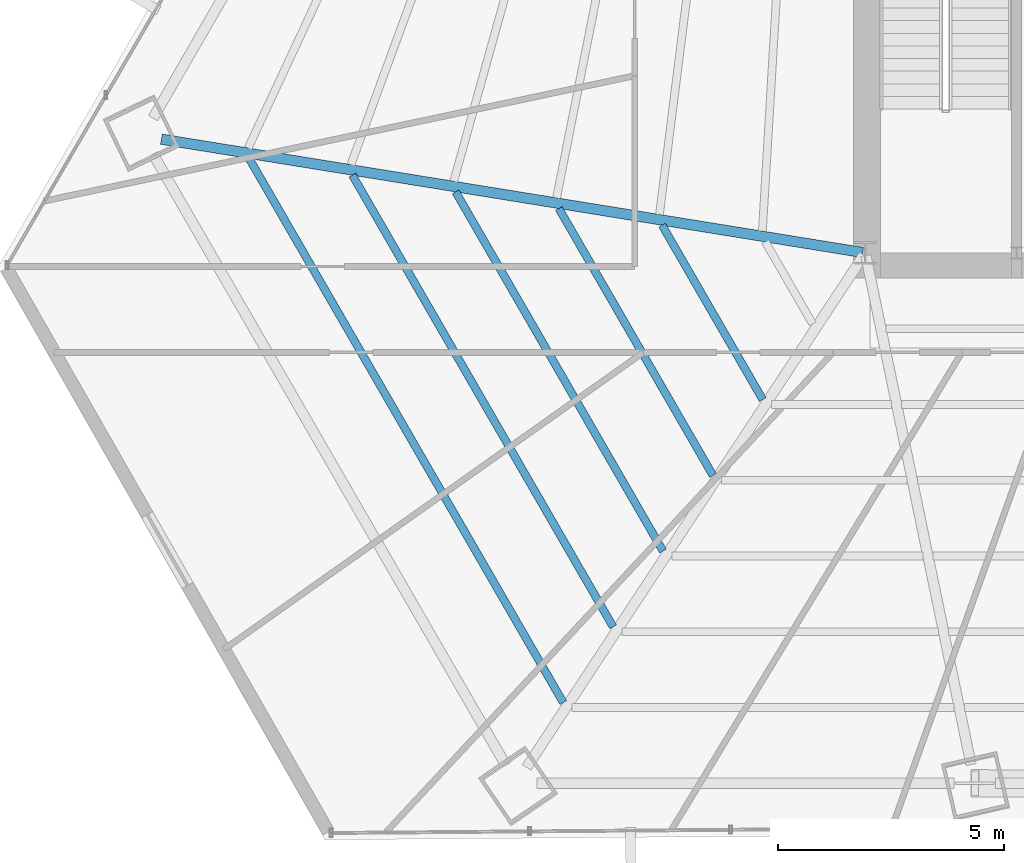
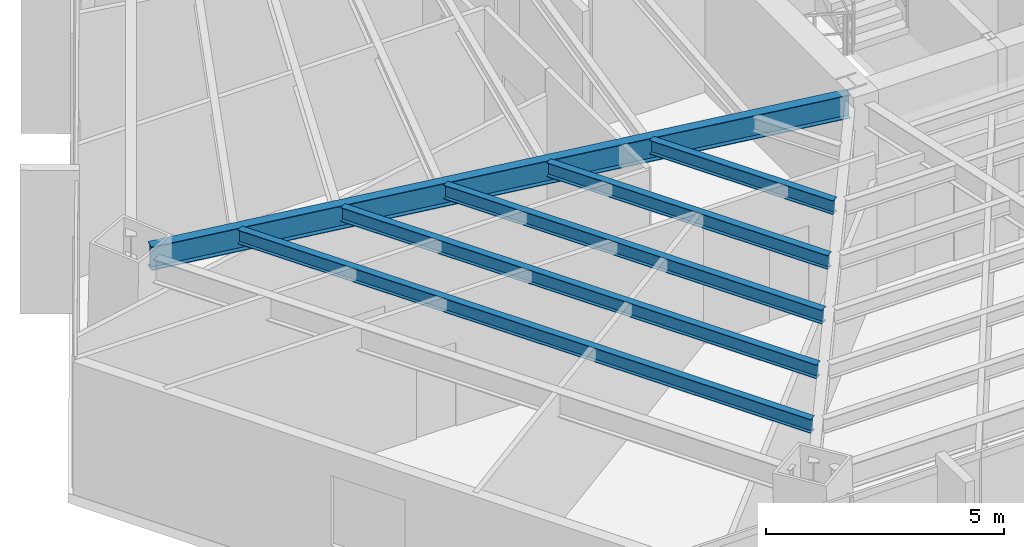
# One storey, part 7 of 38: 6 beams.
"""IFC4 building model written with IfcOpenShell, lengths in metres."""

import ifcopenshell
import ifcopenshell.guid

model = None  # the IFC model being written
_history = None  # IfcOwnerHistory: only IFC2X3 demands one
_inside = {}  # id of a spatial element -> (the spatial element, [elements in it])
_under = {}  # id of a project, library or spatial element -> (it, [spatial elements below it])
_declared = {}  # id of a project -> (the project, [libraries it declares])
_typed = {}  # id of a type object -> (the type object, [elements of that type])
_made_of = {}  # id of a material, layer set ... -> (it, [elements and type objects made of it])


def new_model(schema):
    """Start an empty IFC model of exactly this schema.

    Asked for "IFC4X3", IfcOpenShell would pick the latest addendum, in which some entities
    have other attributes; the version numbers below select the first issue.
    IFC2X3 requires an IfcOwnerHistory on every rooted entity: one is made here for all.
    """
    global model, _history
    if schema == "IFC4X3":
        model = ifcopenshell.file(schema_version=(4, 3, 0, 0))
    else:
        model = ifcopenshell.file(schema=schema)
    _inside.clear()
    _under.clear()
    _declared.clear()
    _typed.clear()
    _made_of.clear()
    _history = None
    if model.schema == "IFC2X3":
        org = make("IfcOrganization", Name="unknown")
        user = make(
            "IfcPersonAndOrganization",
            ThePerson=make("IfcPerson", FamilyName="unknown"),
            TheOrganization=org,
        )
        app = make(
            "IfcApplication",
            ApplicationDeveloper=org,
            Version="unknown",
            ApplicationFullName="unknown",
            ApplicationIdentifier="unknown",
        )
        _history = make(
            "IfcOwnerHistory",
            OwningUser=user,
            OwningApplication=app,
            ChangeAction="ADDED",
            CreationDate=0,
        )
    return model


def make(cls, **values):
    """One entity of the class cls with the attributes given. An attribute that is None is left unset."""
    return model.create_entity(
        cls, **{name: value for name, value in values.items() if value is not None}
    )


def rooted(cls, **values):
    """An entity with a GlobalId (a new one), such as an element, a storey or a relation."""
    return make(cls, GlobalId=ifcopenshell.guid.new(), OwnerHistory=_history, **values)


def si_unit(unit_type, name, prefix=None):
    """IfcSIUnit, for example si_unit("LENGTHUNIT", "METRE", prefix="MILLI")."""
    return make("IfcSIUnit", UnitType=unit_type, Prefix=prefix, Name=name)


def assignment(units):
    """IfcUnitAssignment: the units of a project."""
    return None if units is None else make("IfcUnitAssignment", Units=units)


def point(xyz):
    """IfcCartesianPoint."""
    return None if xyz is None else make("IfcCartesianPoint", Coordinates=xyz)


def direction(xyz):
    """IfcDirection."""
    return None if xyz is None else make("IfcDirection", DirectionRatios=xyz)


def frame(location, z_axis=None, x_axis=None):
    """IfcAxis2Placement3D, a coordinate frame: its origin and axes. An axis left out is left unset."""
    return make(
        "IfcAxis2Placement3D",
        Location=point(location),
        Axis=direction(z_axis),
        RefDirection=direction(x_axis),
    )


def frame_2d(location, x_axis=None):
    """IfcAxis2Placement2D, a coordinate frame in the plane: its origin and x axis."""
    return make(
        "IfcAxis2Placement2D", Location=point(location), RefDirection=direction(x_axis)
    )


def origin():
    """The frame at (0, 0, 0) with its axes left unset."""
    return frame((0.0, 0.0, 0.0))


def origin_2d():
    """The frame at (0, 0) in the plane with its x axis left unset."""
    return frame_2d((0.0, 0.0))


def place(relative_to, where):
    """IfcLocalPlacement: puts the frame where relative to a parent placement (None: the world)."""
    return make(
        "IfcLocalPlacement", PlacementRelTo=relative_to, RelativePlacement=where
    )


def context(
    kind, dimensions, precision=None, world=None, true_north=None, identifier=None
):
    """IfcGeometricRepresentationContext, for example the 3D "Model" context."""
    return make(
        "IfcGeometricRepresentationContext",
        ContextIdentifier=identifier,
        ContextType=kind,
        CoordinateSpaceDimension=dimensions,
        Precision=precision,
        WorldCoordinateSystem=world,
        TrueNorth=true_north,
    )


def subcontext(parent, identifier, kind, view, scale=None):
    """IfcGeometricRepresentationSubContext, for example "Body" below "Model"."""
    return make(
        "IfcGeometricRepresentationSubContext",
        ContextIdentifier=identifier,
        ContextType=kind,
        ParentContext=parent,
        TargetScale=scale,
        TargetView=view,
    )


def project(units=None, contexts=None):
    """IfcProject with its units and contexts."""
    return rooted(
        "IfcProject",
        Name="project",
        RepresentationContexts=contexts,
        UnitsInContext=assignment(units),
    )


def spatial(cls, under=None, at=None, **own):
    """A site, building, storey or space (cls), placed at a placement, below another one or the project."""
    s = rooted(cls, ObjectPlacement=at, **own)
    if under is not None:
        _under.setdefault(under.id(), (under, []))[1].append(s)
    return s


def profile(cls, at=None, kind="AREA", **sizes):
    """A parametric profile (cls). Its sizes go by their IFC names, for example OverallWidth=200.0."""
    return make(cls, ProfileType=kind, Position=at, **sizes)


def i_section(**sizes):
    """IfcIShapeProfileDef."""
    return profile("IfcIShapeProfileDef", **sizes)


def extrude(swept, where, along, depth):
    """IfcExtrudedAreaSolid: the profile swept, set in the frame where, extruded along a direction by depth."""
    return make(
        "IfcExtrudedAreaSolid",
        SweptArea=swept,
        Position=where,
        ExtrudedDirection=direction(along),
        Depth=depth,
    )


def shape(context_of_items, identifier, shape_type, items):
    """IfcShapeRepresentation: the items that make up one representation, for example the "Body"."""
    return make(
        "IfcShapeRepresentation",
        ContextOfItems=context_of_items,
        RepresentationIdentifier=identifier,
        RepresentationType=shape_type,
        Items=items,
    )


def source(mapping_origin, context_of_items, identifier, shape_type, items):
    """IfcRepresentationMap: a shape defined once, which mapped items show again and again."""
    return make(
        "IfcRepresentationMap",
        MappingOrigin=mapping_origin,
        MappedRepresentation=shape(context_of_items, identifier, shape_type, items),
    )


def transform(
    local_origin,
    x_axis=None,
    y_axis=None,
    z_axis=None,
    scale=None,
    scale2=None,
    scale3=None,
    uniform=True,
):
    """IfcCartesianTransformationOperator3D, or its non-uniform kind. x_axis, y_axis, z_axis: its Axis1, 2, 3."""
    if uniform:
        return make(
            "IfcCartesianTransformationOperator3D",
            Axis1=direction(x_axis),
            Axis2=direction(y_axis),
            LocalOrigin=point(local_origin),
            Scale=scale,
            Axis3=direction(z_axis),
        )
    return make(
        "IfcCartesianTransformationOperator3DnonUniform",
        Axis1=direction(x_axis),
        Axis2=direction(y_axis),
        LocalOrigin=point(local_origin),
        Scale=scale,
        Axis3=direction(z_axis),
        Scale2=scale2,
        Scale3=scale3,
    )


def mapped(mapping_source, mapping_target):
    """IfcMappedItem: shows the shape of a source again, moved by a transform."""
    return make(
        "IfcMappedItem", MappingSource=mapping_source, MappingTarget=mapping_target
    )


def material(Name=None, Category=None):
    """IfcMaterial."""
    return make("IfcMaterial", Name=Name, Category=Category)


def material_profile(
    of_material, cross_section, Name=None, Category=None, Priority=None
):
    """IfcMaterialProfile: a cross section and its material."""
    return make(
        "IfcMaterialProfile",
        Name=Name,
        Material=of_material,
        Profile=cross_section,
        Priority=Priority,
        Category=Category,
    )


def profile_set(profiles, Name=None, composite=None):
    """IfcMaterialProfileSet."""
    return make(
        "IfcMaterialProfileSet",
        Name=Name,
        MaterialProfiles=profiles,
        CompositeProfile=composite,
    )


def made_of(thing, what):
    """Note that an element or type object is made of a material, layer set ...; save() writes the relation."""
    if what is not None:
        _made_of.setdefault(what.id(), (what, []))[1].append(thing)
    return thing


def type_object(cls, material=None, **own):
    """A type object (cls), such as IfcWallType, which elements share."""
    return made_of(rooted(cls, **own), material)


def type_shapes(of_type, sources):
    """Give a type object the sources (RepresentationMaps) that its elements show as mapped items."""
    of_type.RepresentationMaps = sources


def element(
    cls,
    number,
    at=None,
    inside=None,
    cuts=None,
    type_object=None,
    material=None,
    context=None,
    identifier="Body",
    shape_type=None,
    held_by="IfcProductDefinitionShape",
    body=None,
    shapes=None,
    **own,
):
    """One element of the class cls, such as IfcWall. Its Tag is "e" and its number.

    at: its placement. inside: the storey or other place that contains it. cuts: it is an
    opening in that element (IfcRelVoidsElement). A single representation is given by context,
    identifier, shape_type and body (its items); several are given by shapes. held_by: the class
    of the entity that holds the representations. save() writes the other relations.
    """
    e = rooted(cls, Tag="e%d" % number, ObjectPlacement=at, **own)
    if body is not None:
        shapes = [shape(context, identifier, shape_type, body)]
    if shapes is not None:
        e.Representation = make(held_by, Representations=shapes)
    if inside is not None:
        _inside.setdefault(inside.id(), (inside, []))[1].append(e)
    if cuts is not None:
        rooted(
            "IfcRelVoidsElement", RelatingBuildingElement=cuts, RelatedOpeningElement=e
        )
    if type_object is not None:
        _typed.setdefault(type_object.id(), (type_object, []))[1].append(e)
    return made_of(e, material)


def aggregate(whole, parts):
    """IfcRelAggregates: a whole, such as a stair, and the parts it consists of."""
    return rooted("IfcRelAggregates", RelatingObject=whole, RelatedObjects=parts)


def save(model, path):
    """Write the relations noted so far, then the file.

    IfcRelAggregates (storeys below a building ...), IfcRelContainedInSpatialStructure (elements
    in a storey), IfcRelDefinesByType, IfcRelAssociatesMaterial and IfcRelDeclares: one each for
    every whole, place, type object, material and project.
    """
    for whole, parts in _under.values():
        aggregate(whole, parts)
    for where, things in _inside.values():
        rooted(
            "IfcRelContainedInSpatialStructure",
            RelatedElements=things,
            RelatingStructure=where,
        )
    for kind, things in _typed.values():
        rooted("IfcRelDefinesByType", RelatedObjects=things, RelatingType=kind)
    for what, things in _made_of.values():
        rooted("IfcRelAssociatesMaterial", RelatedObjects=things, RelatingMaterial=what)
    for by, libraries in _declared.values():
        rooted("IfcRelDeclares", RelatingContext=by, RelatedDefinitions=libraries)
    model.write(path)


model = new_model("IFC4")

# Units and contexts
model_context = context("Model", 3, precision=1e-05, world=origin(), true_north=direction((0.0, 1.0)))
body_context = subcontext(model_context, "Body", "Model", "MODEL_VIEW")
ifc_project = project(units=[si_unit("LENGTHUNIT", "METRE"), si_unit("AREAUNIT", "SQUARE_METRE"), si_unit("VOLUMEUNIT", "CUBIC_METRE"), si_unit("PLANEANGLEUNIT", "RADIAN"), si_unit("MASSUNIT", "GRAM", prefix="KILO")], contexts=[model_context])

# Site, building, storey
site_placement = place(None, origin())
site = spatial("IfcSite", under=ifc_project, at=site_placement, CompositionType="ELEMENT")
building_placement = place(site_placement, origin())
building = spatial("IfcBuilding", under=site, at=building_placement, Name="Caelisora Broadcast Tower", CompositionType="ELEMENT")
storey_placement = place(building_placement, frame((0.0, 0.0, 67.75)))
storey = spatial("IfcBuildingStorey", under=building, at=storey_placement, Name="L17", CompositionType="ELEMENT", Elevation=67.75)

# Beams
ifc_material = material(Name="Steel Grade 350 (AS/NZS 3679.1)", Category="steel")
ifc_material_profile_1 = material_profile(ifc_material, i_section(OverallWidth=0.172119140625, OverallDepth=0.358642578125, WebThickness=0.008056640625, FlangeThickness=0.012939453125, at=origin_2d()), Name="Steel Grade 350 (AS/NZS 3679.1)")
ifc_profile_set_1 = profile_set([ifc_material_profile_1], Name="Steel Grade 350 (AS/NZS 3679.1)")
beam_type_1 = type_object("IfcBeamType", Name="SB02", PredefinedType="JOIST", material=ifc_profile_set_1)
shared_shape_1 = source(origin(), body_context, "Body", "SweptSolid", [
    extrude(i_section(OverallWidth=0.172119140625, OverallDepth=0.358642578125, WebThickness=0.008056640625, FlangeThickness=0.012939453125, at=origin_2d()), origin(), (0.0, 0.0, 1.0), 9.17724609375),
])
beam_1_placement = place(storey_placement, frame((21.436279296875, 18.75146484375, 3.220703125), z_axis=(0.499998789643, -0.866026102583, 0.0), x_axis=(0.866026102583, 0.499998789643, 0.0)))
element("IfcBeam", 1, at=beam_1_placement, inside=storey, type_object=beam_type_1, Name="L17 beam SB02", PredefinedType="JOIST", context=body_context, shape_type="MappedRepresentation", body=[
    mapped(shared_shape_1, transform((0.0, 0.0, 0.0), scale=1.0)),
])
ifc_material_profile_2 = material_profile(ifc_material, i_section(OverallWidth=0.22802734375, OverallDepth=0.602294921875, WebThickness=0.010498046875, FlangeThickness=0.014892578125, at=origin_2d()), Name="Steel Grade 350 (AS/NZS 3679.1)")
ifc_profile_set_2 = profile_set([ifc_material_profile_2], Name="Steel Grade 350 (AS/NZS 3679.1)")
beam_type_2 = type_object("IfcBeamType", Name="PG04", PredefinedType="BEAM", material=ifc_profile_set_2)
shared_shape_2 = source(origin(), body_context, "Body", "SweptSolid", [
    extrude(i_section(OverallWidth=0.22802734375, OverallDepth=0.602294921875, WebThickness=0.010498046875, FlangeThickness=0.014892578125, at=origin_2d()), origin(), (0.0, 0.0, 1.0), 15.715087890625),
])
type_shapes(beam_type_2, [shared_shape_2])
beam_2_placement = place(storey_placement, frame((30.44091796875, 17.40966796875, 3.098876953125), z_axis=(-0.987195151038, 0.159517189564, 0.0), x_axis=(-0.159517189564, -0.987195151038, 0.0)))
element("IfcBeam", 2, at=beam_2_placement, inside=storey, type_object=beam_type_2, Name="L17 beam PG04", PredefinedType="BEAM", context=body_context, shape_type="MappedRepresentation", body=[
    mapped(shared_shape_2, transform((0.0, 0.0, 0.0), scale=1.0)),
])
shared_shape_3 = source(origin(), body_context, "Body", "SweptSolid", [
    extrude(i_section(OverallWidth=0.172119140625, OverallDepth=0.358642578125, WebThickness=0.008056640625, FlangeThickness=0.012939453125, at=origin_2d()), origin(), (0.0, 0.0, 1.0), 4.454345703125),
])
beam_3_placement = place(storey_placement, frame((26.004150390625, 18.01318359375, 3.220703125), z_axis=(0.500035588546, -0.866004855753, 0.0), x_axis=(0.866004855753, 0.500035588546, 0.0)))
element("IfcBeam", 3, at=beam_3_placement, inside=storey, type_object=beam_type_1, Name="L17 beam SB02", PredefinedType="JOIST", context=body_context, shape_type="MappedRepresentation", body=[
    mapped(shared_shape_3, transform((0.0, 0.0, 0.0), scale=1.0)),
])
shared_shape_4 = source(origin(), body_context, "Body", "SweptSolid", [
    extrude(i_section(OverallWidth=0.172119140625, OverallDepth=0.358642578125, WebThickness=0.008056640625, FlangeThickness=0.012939453125, at=origin_2d()), origin(), (0.0, 0.0, 1.0), 6.81591796875),
])
beam_4_placement = place(storey_placement, frame((23.72021484375, 18.38232421875, 3.220703125), z_axis=(0.499995303914, -0.866028115054, 0.0), x_axis=(0.866028115054, 0.499995303914, 0.0)))
element("IfcBeam", 4, at=beam_4_placement, inside=storey, type_object=beam_type_1, Name="L17 beam SB02", PredefinedType="JOIST", context=body_context, shape_type="MappedRepresentation", body=[
    mapped(shared_shape_4, transform((0.0, 0.0, 0.0), scale=1.0)),
])
shared_shape_5 = source(origin(), body_context, "Body", "SweptSolid", [
    extrude(i_section(OverallWidth=0.172119140625, OverallDepth=0.358642578125, WebThickness=0.008056640625, FlangeThickness=0.012939453125, at=origin_2d()), origin(), (0.0, 0.0, 1.0), 11.5390625),
])
beam_5_placement = place(storey_placement, frame((19.15234375, 19.12060546875, 3.220703125), z_axis=(0.499998393838, -0.866026331101, 0.0), x_axis=(0.866026331101, 0.499998393838, 0.0)))
element("IfcBeam", 5, at=beam_5_placement, inside=storey, type_object=beam_type_1, Name="L17 beam SB02", PredefinedType="JOIST", context=body_context, shape_type="MappedRepresentation", body=[
    mapped(shared_shape_5, transform((0.0, 0.0, 0.0), scale=1.0)),
])
shared_shape_6 = source(origin(), body_context, "Body", "SweptSolid", [
    extrude(i_section(OverallWidth=0.172119140625, OverallDepth=0.358642578125, WebThickness=0.008056640625, FlangeThickness=0.012939453125, at=origin_2d()), origin(), (0.0, 0.0, 1.0), 13.900390625),
])
type_shapes(beam_type_1, [shared_shape_1, shared_shape_3, shared_shape_4, shared_shape_5, shared_shape_6])
beam_6_placement = place(storey_placement, frame((16.868408203125, 19.489501953125, 3.220703125), z_axis=(0.500000170281, -0.866025305473, 0.0), x_axis=(0.866025305473, 0.500000170281, 0.0)))
element("IfcBeam", 6, at=beam_6_placement, inside=storey, type_object=beam_type_1, Name="L17 beam SB02", PredefinedType="JOIST", context=body_context, shape_type="MappedRepresentation", body=[
    mapped(shared_shape_6, transform((0.0, 0.0, 0.0), scale=1.0)),
])

save(model, "model.ifc")
